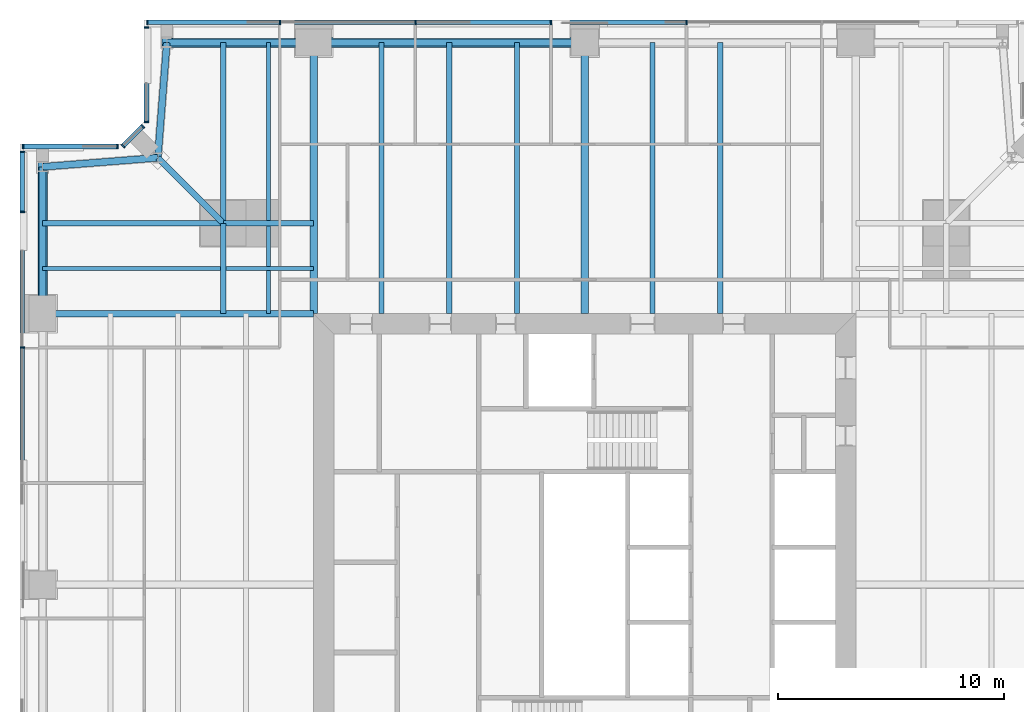
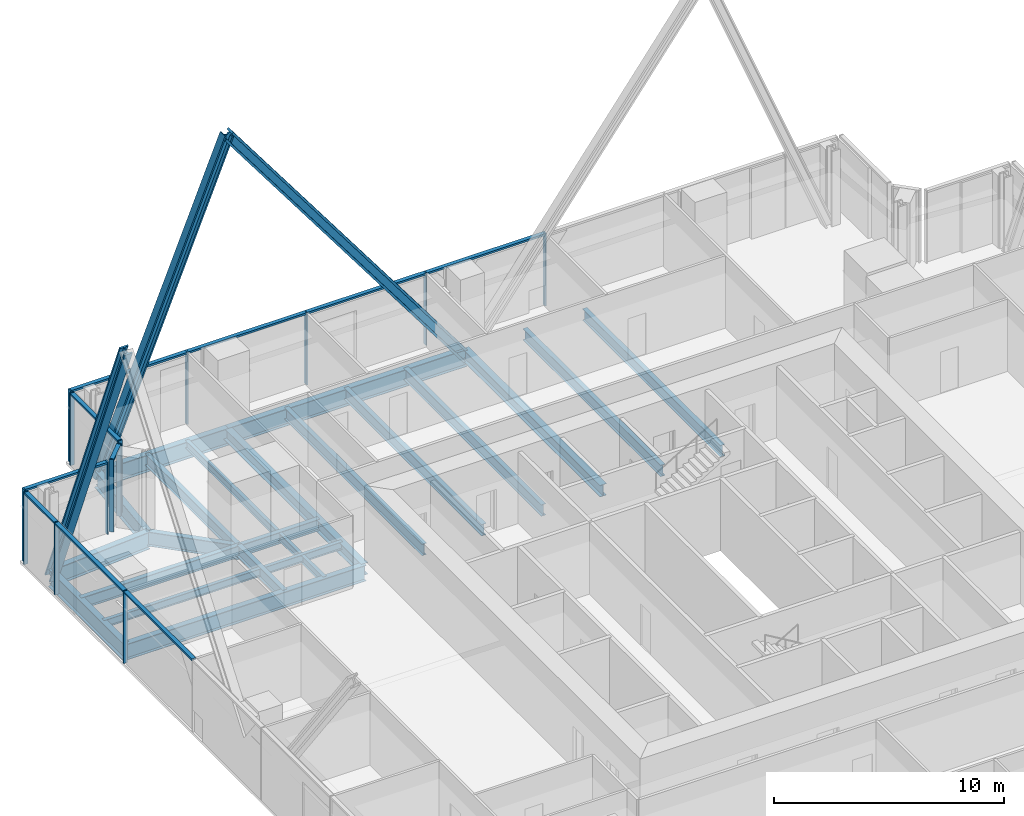
# One storey, part 6 of 14: 27 members, 23 beams, 5 elements without a shape of their own.
"""IFC4 building model written with IfcOpenShell, lengths in metres."""

from ifc_helpers import new_model, si_unit, direction, frame, origin, origin_2d, place, context, subcontext, project, spatial, rectangle, i_section, extrude, material, material_profile, profile_set, type_object, element, aggregate, save


model = new_model("IFC4")

# Units and contexts
model_context = context("Model", 3, precision=1e-05, world=origin(), true_north=direction((0.0, 1.0)))
body_context = subcontext(model_context, "Body", "Model", "MODEL_VIEW")
ifc_project = project(units=[si_unit("LENGTHUNIT", "METRE"), si_unit("AREAUNIT", "SQUARE_METRE"), si_unit("VOLUMEUNIT", "CUBIC_METRE"), si_unit("PLANEANGLEUNIT", "RADIAN"), si_unit("MASSUNIT", "GRAM", prefix="KILO")], contexts=[model_context])

# Site, building, storey
site_placement = place(None, origin())
site = spatial("IfcSite", under=ifc_project, at=site_placement, CompositionType="ELEMENT")
building_placement = place(site_placement, origin())
building = spatial("IfcBuilding", under=site, at=building_placement, Name="Fenwick Lantern Interchange", CompositionType="ELEMENT")
storey_placement = place(building_placement, frame((0.0, 0.0, 185.800048828125)))
storey = spatial("IfcBuildingStorey", under=building, at=storey_placement, Name="L43", CompositionType="ELEMENT", Elevation=185.800048828125)

# Beams
ifc_material_1 = material(Name="Steel ASTM A992 Grade 50", Category="steel")
ifc_material_profile_1 = material_profile(ifc_material_1, i_section(OverallWidth=0.3046875, OverallDepth=0.911865234375, WebThickness=0.015869140625, FlangeThickness=0.02392578125, at=origin_2d()), Name="W36X150")
ifc_profile_set_1 = profile_set([ifc_material_profile_1], Name="Steel ASTM A992 Grade 50")
beam_type_1 = type_object("IfcBeamType", Name="EDGE BEAM W36X150", PredefinedType="SPANDREL", material=ifc_profile_set_1)
beam_1_placement = place(storey_placement, frame((25.0, 49.0, -0.60595703125), z_axis=(-1.0, 0.0, 0.0), x_axis=(0.0, -1.0, 0.0)))
element("IfcBeam", 1, at=beam_1_placement, inside=storey, type_object=beam_type_1, Name="L43/FR/N/EB3", PredefinedType="SPANDREL", context=body_context, shape_type="SweptSolid", body=[
    extrude(i_section(OverallWidth=0.3046875, OverallDepth=0.911865234375, WebThickness=0.015869140625, FlangeThickness=0.02392578125, at=origin_2d()), origin(), (0.0, 0.0, 1.0), 12.0),
])
beam_2_placement = place(storey_placement, frame((13.0, 49.0, -0.60595703125), z_axis=(-1.0, 0.0, 0.0), x_axis=(0.0, -1.0, 0.0)))
element("IfcBeam", 2, at=beam_2_placement, inside=storey, type_object=beam_type_1, Name="L43/FR/N/EB4", PredefinedType="SPANDREL", context=body_context, shape_type="SweptSolid", body=[
    extrude(i_section(OverallWidth=0.3046875, OverallDepth=0.911865234375, WebThickness=0.015869140625, FlangeThickness=0.02392578125, at=origin_2d()), origin(), (0.0, 0.0, 1.0), 6.5),
])
for number, where, z_axis, x_axis, name in (
    (3, (6.5, 49.0, -0.60595703125), (-0.078170784639, -0.99693998236, 0.0), (0.99693998236, -0.078170784639, 0.0), "L43/FR/N/EBR1"),
    (4, (6.10009765625, 43.89990234375, -0.60595703125), (-0.99693998236, -0.078170784639, 0.0), (0.078170784639, -0.99693998236, 0.0), "L43/FR/N/EBR2"),
):
    element("IfcBeam", number, at=place(storey_placement, frame(where, z_axis=z_axis, x_axis=x_axis)), inside=storey, type_object=beam_type_1, Name=name, PredefinedType="SPANDREL", context=body_context, shape_type="SweptSolid", body=[
        extrude(i_section(OverallWidth=0.3046875, OverallDepth=0.911865234375, WebThickness=0.015869140625, FlangeThickness=0.02392578125, at=origin_2d()), origin(), (0.0, 0.0, 1.0), 5.11572265625),
    ])
beam_3_placement = place(storey_placement, frame((1.0, 43.5, -0.60595703125), z_axis=(0.0, -1.0, 0.0), x_axis=(1.0, 0.0, 0.0)))
element("IfcBeam", 5, at=beam_3_placement, inside=storey, type_object=beam_type_1, Name="L43/FR/W/EB1", PredefinedType="SPANDREL", context=body_context, shape_type="SweptSolid", body=[
    extrude(i_section(OverallWidth=0.3046875, OverallDepth=0.911865234375, WebThickness=0.015869140625, FlangeThickness=0.02392578125, at=origin_2d()), origin(), (0.0, 0.0, 1.0), 6.5),
])

# Members
ifc_material_profile_2 = material_profile(ifc_material_1, i_section(OverallWidth=0.424072265625, OverallDepth=0.47509765625, WebThickness=0.0478515625, FlangeThickness=0.0771484375, at=origin_2d()), Name="W14X426")
ifc_profile_set_2 = profile_set([ifc_material_profile_2], Name="Steel ASTM A992 Grade 50")
member_type_1 = type_object("IfcMemberType", Name="FACADE BRACE W14X426", PredefinedType="BRACE", material=ifc_profile_set_2)
for number, where, z_axis, x_axis, name in (
    (6, (6.5, 49.0, -0.60595703125), (0.376377046956, 0.0, 0.926466577122), (0.0, 1.0, 0.0), "L43/FB/N/BE"),
    (7, (1.0, 43.5, -0.60595703125), (0.0, -0.376377046956, 0.926466577122), (1.0, 0.0, 0.0), "L43/FB/W/AE"),
):
    element("IfcMember", number, at=place(storey_placement, frame(where, z_axis=z_axis, x_axis=x_axis)), inside=storey, type_object=member_type_1, Name=name, PredefinedType="BRACE", context=body_context, shape_type="SweptSolid", body=[
        extrude(i_section(OverallWidth=0.424072265625, OverallDepth=0.47509765625, WebThickness=0.0478515625, FlangeThickness=0.0771484375, at=origin_2d()), origin(), (0.0, 0.0, 1.0), 17.27001953125),
    ])
ifc_material_profile_3 = material_profile(ifc_material_1, i_section(OverallWidth=0.44189453125, OverallDepth=0.53076171875, WebThickness=0.06591796875, FlangeThickness=0.105712890625, at=origin_2d()), Name="W14X605")
ifc_profile_set_3 = profile_set([ifc_material_profile_3], Name="Steel ASTM A992 Grade 50")
member_type_2 = type_object("IfcMemberType", Name="FACADE BRACE W14X605", PredefinedType="BRACE", material=ifc_profile_set_3)
member_1_placement = place(storey_placement, frame((25.0, 49.0, -0.60595703125), z_axis=(-0.6, 0.0, 0.8), x_axis=(0.0, -1.0, 0.0)))
element("IfcMember", 8, at=member_1_placement, inside=storey, type_object=member_type_2, Name="L43/FB/N/B", PredefinedType="BRACE", context=body_context, shape_type="SweptSolid", body=[
    extrude(i_section(OverallWidth=0.44189453125, OverallDepth=0.53076171875, WebThickness=0.06591796875, FlangeThickness=0.105712890625, at=origin_2d()), origin(), (0.0, 0.0, 1.0), 20.0),
])

# Beams
ifc_material_profile_4 = material_profile(ifc_material_1, i_section(OverallWidth=0.22900390625, OverallDepth=0.612060546875, WebThickness=0.011962890625, FlangeThickness=0.01953125, at=origin_2d()), Name="W24X84")
ifc_profile_set_4 = profile_set([ifc_material_profile_4], Name="Steel ASTM A992 Grade 50")
beam_type_2 = type_object("IfcBeamType", Name="FLOOR BEAM W24X84", PredefinedType="BEAM", material=ifc_profile_set_4)
for number, where, z_axis, x_axis, name in (
    (9, (31.0, 49.0, -0.4560546875), (0.0, -1.0, 0.0), (1.0, 0.0, 0.0), "L43/FR/N/R03"),
    (10, (28.0, 49.0, -0.4560546875), (0.0, -1.0, 0.0), (1.0, 0.0, 0.0), "L43/FR/N/R04"),
    (11, (22.0, 49.0, -0.4560546875), (0.0, -1.0, 0.0), (1.0, 0.0, 0.0), "L43/FR/N/R06"),
    (12, (19.0, 49.0, -0.4560546875), (0.0, -1.0, 0.0), (1.0, 0.0, 0.0), "L43/FR/N/R07"),
    (13, (16.0, 49.0, -0.4560546875), (0.0, -1.0, 0.0), (1.0, 0.0, 0.0), "L43/FR/N/R08"),
):
    element("IfcBeam", number, at=place(storey_placement, frame(where, z_axis=z_axis, x_axis=x_axis)), inside=storey, type_object=beam_type_2, Name=name, PredefinedType="BEAM", context=body_context, shape_type="SweptSolid", body=[
        extrude(i_section(OverallWidth=0.22900390625, OverallDepth=0.612060546875, WebThickness=0.011962890625, FlangeThickness=0.01953125, at=origin_2d()), origin(), (0.0, 0.0, 1.0), 12.0),
    ])
ifc_material_profile_5 = material_profile(ifc_material_1, i_section(OverallWidth=0.177734375, OverallDepth=0.406494140625, WebThickness=0.0078125, FlangeThickness=0.012939453125, at=origin_2d()), Name="W16X40")
ifc_profile_set_5 = profile_set([ifc_material_profile_5], Name="Steel ASTM A992 Grade 50")
beam_type_3 = type_object("IfcBeamType", Name="INFILL BEAM W16X40", PredefinedType="JOIST", material=ifc_profile_set_5)
beam_4_placement = place(storey_placement, frame((1.0, 39.0, -0.353271484375), z_axis=(1.0, 0.0, 0.0), x_axis=(0.0, 1.0, 0.0)))
element("IfcBeam", 14, at=beam_4_placement, inside=storey, type_object=beam_type_3, Name="L43/FR/W/J1", PredefinedType="JOIST", context=body_context, shape_type="SweptSolid", body=[
    extrude(i_section(OverallWidth=0.177734375, OverallDepth=0.406494140625, WebThickness=0.0078125, FlangeThickness=0.012939453125, at=origin_2d()), origin(), (0.0, 0.0, 1.0), 7.885498046875),
])
beam_5_placement = place(storey_placement, frame((9.114501953125, 39.0, -0.353271484375), z_axis=(1.0, 0.0, 0.0), x_axis=(0.0, 1.0, 0.0)))
element("IfcBeam", 15, at=beam_5_placement, inside=storey, type_object=beam_type_3, Name="L43/FR/W/J2", PredefinedType="JOIST", context=body_context, shape_type="SweptSolid", body=[
    extrude(i_section(OverallWidth=0.177734375, OverallDepth=0.406494140625, WebThickness=0.0078125, FlangeThickness=0.012939453125, at=origin_2d()), origin(), (0.0, 0.0, 1.0), 3.885498046875),
])
beam_6_placement = place(storey_placement, frame((11.0, 49.0, -0.353271484375), z_axis=(0.0, -1.0, 0.0), x_axis=(1.0, 0.0, 0.0)))
element("IfcBeam", 16, at=beam_6_placement, inside=storey, type_object=beam_type_3, Name="L43/FR/W/J3", PredefinedType="JOIST", context=body_context, shape_type="SweptSolid", body=[
    extrude(i_section(OverallWidth=0.177734375, OverallDepth=0.406494140625, WebThickness=0.0078125, FlangeThickness=0.012939453125, at=origin_2d()), origin(), (0.0, 0.0, 1.0), 7.885498046875),
])
beam_7_placement = place(storey_placement, frame((11.0, 40.885498046875, -0.353271484375), z_axis=(0.0, -1.0, 0.0), x_axis=(1.0, 0.0, 0.0)))
element("IfcBeam", 17, at=beam_7_placement, inside=storey, type_object=beam_type_3, Name="L43/FR/W/J4", PredefinedType="JOIST", context=body_context, shape_type="SweptSolid", body=[
    extrude(i_section(OverallWidth=0.177734375, OverallDepth=0.406494140625, WebThickness=0.0078125, FlangeThickness=0.012939453125, at=origin_2d()), origin(), (0.0, 0.0, 1.0), 1.796630859375),
])
beam_8_placement = place(storey_placement, frame((11.0, 38.9111328125, -0.353271484375), z_axis=(0.0, -1.0, 0.0), x_axis=(1.0, 0.0, 0.0)))
element("IfcBeam", 18, at=beam_8_placement, inside=storey, type_object=beam_type_3, Name="L43/FR/W/J5", PredefinedType="JOIST", context=body_context, shape_type="SweptSolid", body=[
    extrude(i_section(OverallWidth=0.177734375, OverallDepth=0.406494140625, WebThickness=0.0078125, FlangeThickness=0.012939453125, at=origin_2d()), origin(), (0.0, 0.0, 1.0), 1.9111328125),
])
ifc_material_profile_6 = material_profile(ifc_material_1, i_section(OverallWidth=0.22900390625, OverallDepth=0.612060546875, WebThickness=0.011962890625, FlangeThickness=0.01953125, at=origin_2d()), Name="W24X84")
ifc_profile_set_6 = profile_set([ifc_material_profile_6], Name="Steel ASTM A992 Grade 50")
beam_type_4 = type_object("IfcBeamType", Name="MEGA COLUMN BEAM W24X84", PredefinedType="BEAM", material=ifc_profile_set_6)
for number, where, z_axis, x_axis, name in (
    (19, (9.0, 41.0, -0.4560546875), (-1.0, 0.0, 0.0), (0.0, -1.0, 0.0), "L43/FR/W/MB1"),
    (20, (9.0, 41.0, -0.4560546875), (0.0, 1.0, 0.0), (-1.0, 0.0, 0.0), "L43/FR/W/MB2"),
):
    element("IfcBeam", number, at=place(storey_placement, frame(where, z_axis=z_axis, x_axis=x_axis)), inside=storey, type_object=beam_type_4, Name=name, PredefinedType="BEAM", context=body_context, shape_type="SweptSolid", body=[
        extrude(i_section(OverallWidth=0.22900390625, OverallDepth=0.612060546875, WebThickness=0.011962890625, FlangeThickness=0.01953125, at=origin_2d()), origin(), (0.0, 0.0, 1.0), 8.0),
    ])
for number, where, z_axis, x_axis, name in (
    (21, (9.0, 41.0, -0.4560546875), (0.0, -1.0, 0.0), (1.0, 0.0, 0.0), "L43/FR/W/MB3"),
    (22, (9.0, 41.0, -0.4560546875), (1.0, 0.0, 0.0), (0.0, 1.0, 0.0), "L43/FR/W/MB4"),
):
    element("IfcBeam", number, at=place(storey_placement, frame(where, z_axis=z_axis, x_axis=x_axis)), inside=storey, type_object=beam_type_4, Name=name, PredefinedType="BEAM", context=body_context, shape_type="SweptSolid", body=[
        extrude(i_section(OverallWidth=0.22900390625, OverallDepth=0.612060546875, WebThickness=0.011962890625, FlangeThickness=0.01953125, at=origin_2d()), origin(), (0.0, 0.0, 1.0), 4.0),
    ])
ifc_material_profile_7 = material_profile(ifc_material_1, i_section(OverallWidth=0.32763671875, OverallDepth=0.622314453125, WebThickness=0.015380859375, FlangeThickness=0.0244140625, at=origin_2d()), Name="W24X131")
ifc_profile_set_7 = profile_set([ifc_material_profile_7], Name="Steel ASTM A992 Grade 50")
beam_type_5 = type_object("IfcBeamType", Name="MOMENT-CONNECTED GIRDER W24X131", PredefinedType="BEAM", material=ifc_profile_set_7)
for number, where, z_axis, x_axis, name in (
    (23, (25.0, 49.0, -0.461181640625), (0.0, -1.0, 0.0), (1.0, 0.0, 0.0), "L43/FR/N/R05"),
    (24, (13.0, 49.0, -0.461181640625), (0.0, -1.0, 0.0), (1.0, 0.0, 0.0), "L43/FR/N/R09"),
):
    element("IfcBeam", number, at=place(storey_placement, frame(where, z_axis=z_axis, x_axis=x_axis)), inside=storey, type_object=beam_type_5, Name=name, PredefinedType="BEAM", context=body_context, shape_type="SweptSolid", body=[
        extrude(i_section(OverallWidth=0.32763671875, OverallDepth=0.622314453125, WebThickness=0.015380859375, FlangeThickness=0.0244140625, at=origin_2d()), origin(), (0.0, 0.0, 1.0), 12.0),
    ])
ifc_material_profile_8 = material_profile(ifc_material_1, i_section(OverallWidth=0.2919921875, OverallDepth=0.845703125, WebThickness=0.015380859375, FlangeThickness=0.0244140625, at=origin_2d()), Name="W33X141")
ifc_profile_set_8 = profile_set([ifc_material_profile_8], Name="Steel ASTM A992 Grade 50")
beam_type_6 = type_object("IfcBeamType", Name="MOMENT-CONNECTED GIRDER W33X141", PredefinedType="BEAM", material=ifc_profile_set_8)
beam_9_placement = place(storey_placement, frame((1.0, 37.0, -0.572998046875), z_axis=(1.0, 0.0, 0.0), x_axis=(0.0, 1.0, 0.0)))
element("IfcBeam", 25, at=beam_9_placement, inside=storey, type_object=beam_type_6, Name="L43/FR/W/R01", PredefinedType="BEAM", context=body_context, shape_type="SweptSolid", body=[
    extrude(i_section(OverallWidth=0.2919921875, OverallDepth=0.845703125, WebThickness=0.015380859375, FlangeThickness=0.0244140625, at=origin_2d()), origin(), (0.0, 0.0, 1.0), 12.0),
])
ifc_material_profile_9 = material_profile(ifc_material_1, i_section(OverallWidth=0.2666015625, OverallDepth=0.7568359375, WebThickness=0.013916015625, FlangeThickness=0.019287109375, at=origin_2d()), Name="W30X108")
ifc_profile_set_9 = profile_set([ifc_material_profile_9], Name="Steel ASTM A992 Grade 50")
beam_type_7 = type_object("IfcBeamType", Name="NOTCH BEAM W30X108", PredefinedType="BEAM", material=ifc_profile_set_9)
beam_10_placement = place(storey_placement, frame((9.0, 41.0, -0.528564453125), z_axis=(-0.707106781187, 0.707106781187, 0.0), x_axis=(-0.707106781187, -0.707106781187, 0.0)))
element("IfcBeam", 26, at=beam_10_placement, inside=storey, type_object=beam_type_7, Name="L43/FR/W/TG", PredefinedType="BEAM", context=body_context, shape_type="SweptSolid", body=[
    extrude(i_section(OverallWidth=0.2666015625, OverallDepth=0.7568359375, WebThickness=0.013916015625, FlangeThickness=0.019287109375, at=origin_2d()), origin(), (0.0, 0.0, 1.0), 4.10107421875),
])

# Curtain wall, members
ifc_material_2 = material(Name="Aluminium curtain wall frame", Category="aluminium")
curtain_wall_type = type_object("IfcCurtainWallType", Name="OFFICE CURTAIN WALL", PredefinedType="USERDEFINED", material=ifc_material_2)
curtain_wall_1_placement = place(storey_placement, origin())
curtain_wall_1 = element("IfcCurtainWall", 27, at=curtain_wall_1_placement, inside=storey, type_object=curtain_wall_type, Name="Office curtain wall 09", ObjectType="OFFICE CURTAIN WALL", PredefinedType="USERDEFINED")
ifc_material_3 = material(Name="Aluminium extrusion", Category="aluminium")
ifc_material_profile_10 = material_profile(ifc_material_3, rectangle(XDim=0.199951171875, YDim=0.06494140625, at=origin_2d()), Name="OFFICE CURTAIN WALL MULLION 65 X 200")
ifc_profile_set_10 = profile_set([ifc_material_profile_10], Name="Aluminium extrusion")
member_type_3 = type_object("IfcMemberType", Name="OFFICE CURTAIN WALL MULLION 65 X 200", PredefinedType="MULLION", material=ifc_profile_set_10)
member_2_placement = place(storey_placement, frame((29.5, 49.89990234375, 0.0), z_axis=(0.0, 0.0, 1.0), x_axis=(0.0, -1.0, 0.0)))
member_2 = element("IfcMember", 28, at=member_2_placement, type_object=member_type_3, Name="L43/CW/09/M03", PredefinedType="MULLION", context=body_context, shape_type="SweptSolid", body=[
    extrude(rectangle(XDim=0.199951171875, YDim=0.06494140625, at=origin_2d()), origin(), (0.0, 0.0, 1.0), 3.849853515625),
])
member_3_placement = place(storey_placement, frame((23.5, 49.89990234375, 0.0), z_axis=(0.0, 0.0, 1.0), x_axis=(0.0, -1.0, 0.0)))
member_3 = element("IfcMember", 29, at=member_3_placement, type_object=member_type_3, Name="L43/CW/09/M04", PredefinedType="MULLION", context=body_context, shape_type="SweptSolid", body=[
    extrude(rectangle(XDim=0.199951171875, YDim=0.06494140625, at=origin_2d()), origin(), (0.0, 0.0, 1.0), 3.849853515625),
])
member_4_placement = place(storey_placement, frame((17.5, 49.89990234375, 0.0), z_axis=(0.0, 0.0, 1.0), x_axis=(0.0, -1.0, 0.0)))
member_4 = element("IfcMember", 30, at=member_4_placement, type_object=member_type_3, Name="L43/CW/09/M05", PredefinedType="MULLION", context=body_context, shape_type="SweptSolid", body=[
    extrude(rectangle(XDim=0.199951171875, YDim=0.06494140625, at=origin_2d()), origin(), (0.0, 0.0, 1.0), 3.849853515625),
])
member_5_placement = place(storey_placement, frame((11.5, 49.89990234375, 0.0), z_axis=(0.0, 0.0, 1.0), x_axis=(0.0, -1.0, 0.0)))
member_5 = element("IfcMember", 31, at=member_5_placement, type_object=member_type_3, Name="L43/CW/09/M06", PredefinedType="MULLION", context=body_context, shape_type="SweptSolid", body=[
    extrude(rectangle(XDim=0.199951171875, YDim=0.06494140625, at=origin_2d()), origin(), (0.0, 0.0, 1.0), 3.849853515625),
])
member_6_placement = place(storey_placement, frame((5.632568359375, 49.89990234375, 0.0), z_axis=(0.0, 0.0, 1.0), x_axis=(0.0, -1.0, 0.0)))
member_6 = element("IfcMember", 32, at=member_6_placement, type_object=member_type_3, Name="L43/CW/09/M07", PredefinedType="MULLION", context=body_context, shape_type="SweptSolid", body=[
    extrude(rectangle(XDim=0.199951171875, YDim=0.06494140625, at=origin_2d()), origin(), (0.0, 0.0, 1.0), 3.849853515625),
])

curtain_wall_2_placement = place(storey_placement, origin())
curtain_wall_2 = element("IfcCurtainWall", 33, at=curtain_wall_2_placement, inside=storey, type_object=curtain_wall_type, Name="Office curtain wall 10", ObjectType="OFFICE CURTAIN WALL", PredefinedType="USERDEFINED")
member_7_placement = place(storey_placement, frame((5.60009765625, 49.66748046875, 0.0), z_axis=(0.0, 0.0, 1.0), x_axis=(1.0, 0.0, 0.0)))
member_7 = element("IfcMember", 34, at=member_7_placement, type_object=member_type_3, Name="L43/CW/10/M00", PredefinedType="MULLION", context=body_context, shape_type="SweptSolid", body=[
    extrude(rectangle(XDim=0.199951171875, YDim=0.06494140625, at=origin_2d()), origin(), (0.0, 0.0, 1.0), 3.849853515625),
])
member_8_placement = place(storey_placement, frame((5.60009765625, 45.490966796875, 0.0), z_axis=(0.0, 0.0, 1.0), x_axis=(1.0, 0.0, 0.0)))
member_8 = element("IfcMember", 35, at=member_8_placement, type_object=member_type_3, Name="L43/CW/10/M01", PredefinedType="MULLION", context=body_context, shape_type="SweptSolid", body=[
    extrude(rectangle(XDim=0.199951171875, YDim=0.06494140625, at=origin_2d()), origin(), (0.0, 0.0, 1.0), 3.849853515625),
])

curtain_wall_3_placement = place(storey_placement, origin())
curtain_wall_3 = element("IfcCurtainWall", 36, at=curtain_wall_3_placement, inside=storey, type_object=curtain_wall_type, Name="Office curtain wall 11", ObjectType="OFFICE CURTAIN WALL", PredefinedType="USERDEFINED")
member_9_placement = place(storey_placement, frame((5.435546875, 45.294189453125, 0.0), z_axis=(0.0, 0.0, 1.0), x_axis=(0.707106781187, -0.707106781187, 0.0)))
member_9 = element("IfcMember", 37, at=member_9_placement, type_object=member_type_3, Name="L43/CW/11/M00", PredefinedType="MULLION", context=body_context, shape_type="SweptSolid", body=[
    extrude(rectangle(XDim=0.199951171875, YDim=0.06494140625, at=origin_2d()), origin(), (0.0, 0.0, 1.0), 3.849853515625),
])
member_10_placement = place(storey_placement, frame((4.564453125, 44.423095703125, 0.0), z_axis=(0.0, 0.0, 1.0), x_axis=(0.707106781187, -0.707106781187, 0.0)))
member_10 = element("IfcMember", 38, at=member_10_placement, type_object=member_type_3, Name="L43/CW/11/M01", PredefinedType="MULLION", context=body_context, shape_type="SweptSolid", body=[
    extrude(rectangle(XDim=0.199951171875, YDim=0.06494140625, at=origin_2d()), origin(), (0.0, 0.0, 1.0), 3.849853515625),
])

curtain_wall_4_placement = place(storey_placement, origin())
curtain_wall_4 = element("IfcCurtainWall", 39, at=curtain_wall_4_placement, inside=storey, type_object=curtain_wall_type, Name="Office curtain wall 12", ObjectType="OFFICE CURTAIN WALL", PredefinedType="USERDEFINED")
member_11_placement = place(storey_placement, frame((4.308837890625, 44.39990234375, 0.0), z_axis=(0.0, 0.0, 1.0), x_axis=(0.0, -1.0, 0.0)))
member_11 = element("IfcMember", 40, at=member_11_placement, type_object=member_type_3, Name="L43/CW/12/M00", PredefinedType="MULLION", context=body_context, shape_type="SweptSolid", body=[
    extrude(rectangle(XDim=0.199951171875, YDim=0.06494140625, at=origin_2d()), origin(), (0.0, 0.0, 1.0), 3.849853515625),
])
member_12_placement = place(storey_placement, frame((0.132568359375, 44.39990234375, 0.0), z_axis=(0.0, 0.0, 1.0), x_axis=(0.0, -1.0, 0.0)))
member_12 = element("IfcMember", 41, at=member_12_placement, type_object=member_type_3, Name="L43/CW/12/M01", PredefinedType="MULLION", context=body_context, shape_type="SweptSolid", body=[
    extrude(rectangle(XDim=0.199951171875, YDim=0.06494140625, at=origin_2d()), origin(), (0.0, 0.0, 1.0), 3.849853515625),
])

curtain_wall_5_placement = place(storey_placement, origin())
curtain_wall_5 = element("IfcCurtainWall", 42, at=curtain_wall_5_placement, inside=storey, type_object=curtain_wall_type, Name="Office curtain wall 13", ObjectType="OFFICE CURTAIN WALL", PredefinedType="USERDEFINED")
member_13_placement = place(storey_placement, frame((0.10009765625, 44.16748046875, 0.0), z_axis=(0.0, 0.0, 1.0), x_axis=(1.0, 0.0, 0.0)))
member_13 = element("IfcMember", 43, at=member_13_placement, type_object=member_type_3, Name="L43/CW/13/M00", PredefinedType="MULLION", context=body_context, shape_type="SweptSolid", body=[
    extrude(rectangle(XDim=0.199951171875, YDim=0.06494140625, at=origin_2d()), origin(), (0.0, 0.0, 1.0), 3.849853515625),
])
member_14_placement = place(storey_placement, frame((0.10009765625, 41.5, 0.0), z_axis=(0.0, 0.0, 1.0), x_axis=(1.0, 0.0, 0.0)))
member_14 = element("IfcMember", 44, at=member_14_placement, type_object=member_type_3, Name="L43/CW/13/M01", PredefinedType="MULLION", context=body_context, shape_type="SweptSolid", body=[
    extrude(rectangle(XDim=0.199951171875, YDim=0.06494140625, at=origin_2d()), origin(), (0.0, 0.0, 1.0), 3.849853515625),
])
member_15_placement = place(storey_placement, frame((0.10009765625, 35.5, 0.0), z_axis=(0.0, 0.0, 1.0), x_axis=(1.0, 0.0, 0.0)))
member_15 = element("IfcMember", 45, at=member_15_placement, type_object=member_type_3, Name="L43/CW/13/M02", PredefinedType="MULLION", context=body_context, shape_type="SweptSolid", body=[
    extrude(rectangle(XDim=0.199951171875, YDim=0.06494140625, at=origin_2d()), origin(), (0.0, 0.0, 1.0), 3.849853515625),
])

# Member
ifc_material_profile_11 = material_profile(ifc_material_3, rectangle(XDim=0.199951171875, YDim=0.10009765625, at=origin_2d()), Name="OFFICE CURTAIN WALL TRANSOM 100 X 200")
ifc_profile_set_11 = profile_set([ifc_material_profile_11], Name="Aluminium extrusion")
member_type_4 = type_object("IfcMemberType", Name="OFFICE CURTAIN WALL TRANSOM 100 X 200", PredefinedType="MULLION", material=ifc_profile_set_11)
member_16_placement = place(storey_placement, frame((29.467529296875, 49.89990234375, 3.800048828125), z_axis=(-1.0, 0.0, 0.0), x_axis=(0.0, -1.0, 0.0)))
member_16 = element("IfcMember", 46, at=member_16_placement, type_object=member_type_4, Name="L43/CW/09/T03", PredefinedType="MULLION", context=body_context, shape_type="SweptSolid", body=[
    extrude(rectangle(XDim=0.199951171875, YDim=0.10009765625, at=origin_2d()), origin(), (0.0, 0.0, 1.0), 5.93505859375),
])

member_17_placement = place(storey_placement, frame((23.467529296875, 49.89990234375, 3.800048828125), z_axis=(-1.0, 0.0, 0.0), x_axis=(0.0, -1.0, 0.0)))
member_17 = element("IfcMember", 47, at=member_17_placement, type_object=member_type_4, Name="L43/CW/09/T04", PredefinedType="MULLION", context=body_context, shape_type="SweptSolid", body=[
    extrude(rectangle(XDim=0.199951171875, YDim=0.10009765625, at=origin_2d()), origin(), (0.0, 0.0, 1.0), 5.93505859375),
])

member_18_placement = place(storey_placement, frame((17.467529296875, 49.89990234375, 3.800048828125), z_axis=(-1.0, 0.0, 0.0), x_axis=(0.0, -1.0, 0.0)))
member_18 = element("IfcMember", 48, at=member_18_placement, type_object=member_type_4, Name="L43/CW/09/T05", PredefinedType="MULLION", context=body_context, shape_type="SweptSolid", body=[
    extrude(rectangle(XDim=0.199951171875, YDim=0.10009765625, at=origin_2d()), origin(), (0.0, 0.0, 1.0), 5.93505859375),
])

member_19_placement = place(storey_placement, frame((11.467529296875, 49.89990234375, 3.800048828125), z_axis=(-1.0, 0.0, 0.0), x_axis=(0.0, -1.0, 0.0)))
member_19 = element("IfcMember", 49, at=member_19_placement, type_object=member_type_4, Name="L43/CW/09/T06", PredefinedType="MULLION", context=body_context, shape_type="SweptSolid", body=[
    extrude(rectangle(XDim=0.199951171875, YDim=0.10009765625, at=origin_2d()), origin(), (0.0, 0.0, 1.0), 5.802490234375),
])

aggregate(curtain_wall_1, [member_2, member_3, member_4, member_5, member_6, member_16, member_17, member_18, member_19])

member_20_placement = place(storey_placement, frame((5.60009765625, 49.635009765625, 3.800048828125), z_axis=(0.0, -1.0, 0.0), x_axis=(1.0, 0.0, 0.0)))
member_20 = element("IfcMember", 50, at=member_20_placement, type_object=member_type_4, Name="L43/CW/10/T00", PredefinedType="MULLION", context=body_context, shape_type="SweptSolid", body=[
    extrude(rectangle(XDim=0.199951171875, YDim=0.10009765625, at=origin_2d()), origin(), (0.0, 0.0, 1.0), 4.111328125),
])

aggregate(curtain_wall_2, [member_7, member_8, member_20])

member_21_placement = place(storey_placement, frame((5.41259765625, 45.271240234375, 3.800048828125), z_axis=(-0.707106781187, -0.707106781187, 0.0), x_axis=(0.707106781187, -0.707106781187, 0.0)))
member_21 = element("IfcMember", 51, at=member_21_placement, type_object=member_type_4, Name="L43/CW/11/T00", PredefinedType="MULLION", context=body_context, shape_type="SweptSolid", body=[
    extrude(rectangle(XDim=0.199951171875, YDim=0.10009765625, at=origin_2d()), origin(), (0.0, 0.0, 1.0), 1.1669921875),
])

aggregate(curtain_wall_3, [member_9, member_10, member_21])

member_22_placement = place(storey_placement, frame((4.2763671875, 44.39990234375, 3.800048828125), z_axis=(-1.0, 0.0, 0.0), x_axis=(0.0, -1.0, 0.0)))
member_22 = element("IfcMember", 52, at=member_22_placement, type_object=member_type_4, Name="L43/CW/12/T00", PredefinedType="MULLION", context=body_context, shape_type="SweptSolid", body=[
    extrude(rectangle(XDim=0.199951171875, YDim=0.10009765625, at=origin_2d()), origin(), (0.0, 0.0, 1.0), 4.111328125),
])

aggregate(curtain_wall_4, [member_11, member_12, member_22])

member_23_placement = place(storey_placement, frame((0.10009765625, 44.135009765625, 3.800048828125), z_axis=(0.0, -1.0, 0.0), x_axis=(1.0, 0.0, 0.0)))
member_23 = element("IfcMember", 53, at=member_23_placement, type_object=member_type_4, Name="L43/CW/13/T00", PredefinedType="MULLION", context=body_context, shape_type="SweptSolid", body=[
    extrude(rectangle(XDim=0.199951171875, YDim=0.10009765625, at=origin_2d()), origin(), (0.0, 0.0, 1.0), 2.6025390625),
])

member_24_placement = place(storey_placement, frame((0.10009765625, 41.467529296875, 3.800048828125), z_axis=(0.0, -1.0, 0.0), x_axis=(1.0, 0.0, 0.0)))
member_24 = element("IfcMember", 54, at=member_24_placement, type_object=member_type_4, Name="L43/CW/13/T01", PredefinedType="MULLION", context=body_context, shape_type="SweptSolid", body=[
    extrude(rectangle(XDim=0.199951171875, YDim=0.10009765625, at=origin_2d()), origin(), (0.0, 0.0, 1.0), 5.93505859375),
])

member_25_placement = place(storey_placement, frame((0.10009765625, 35.467529296875, 3.800048828125), z_axis=(0.0, -1.0, 0.0), x_axis=(1.0, 0.0, 0.0)))
member_25 = element("IfcMember", 55, at=member_25_placement, type_object=member_type_4, Name="L43/CW/13/T02", PredefinedType="MULLION", context=body_context, shape_type="SweptSolid", body=[
    extrude(rectangle(XDim=0.199951171875, YDim=0.10009765625, at=origin_2d()), origin(), (0.0, 0.0, 1.0), 5.93505859375),
])

aggregate(curtain_wall_5, [member_13, member_14, member_15, member_23, member_24, member_25])

save(model, "model.ifc")
